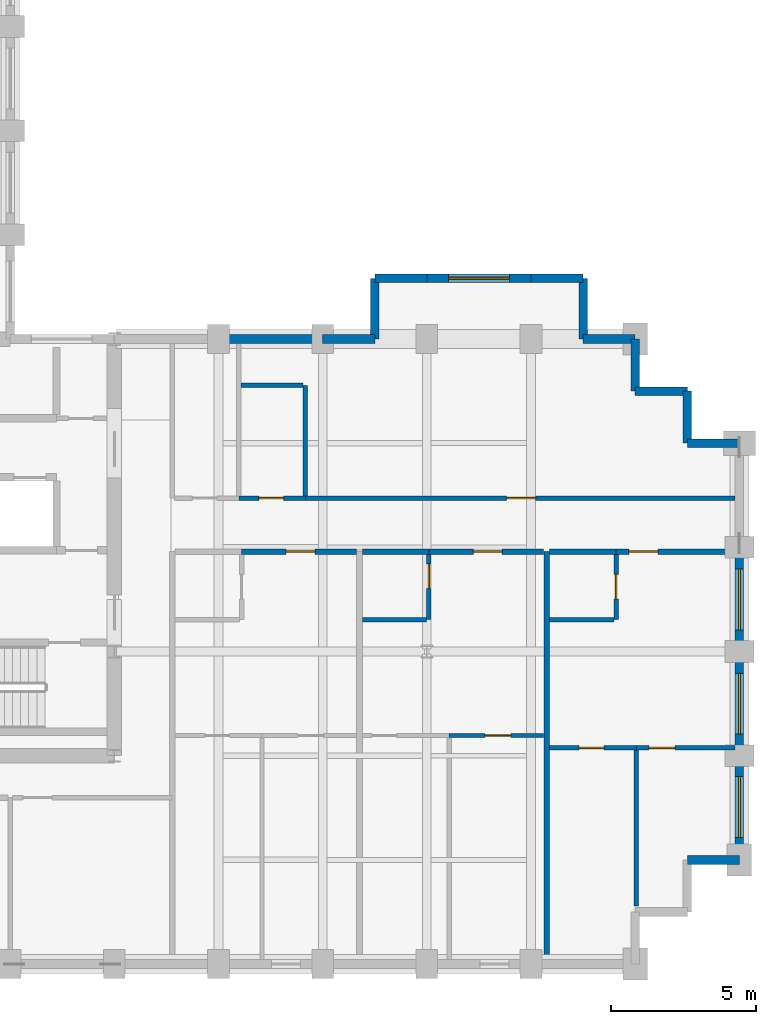
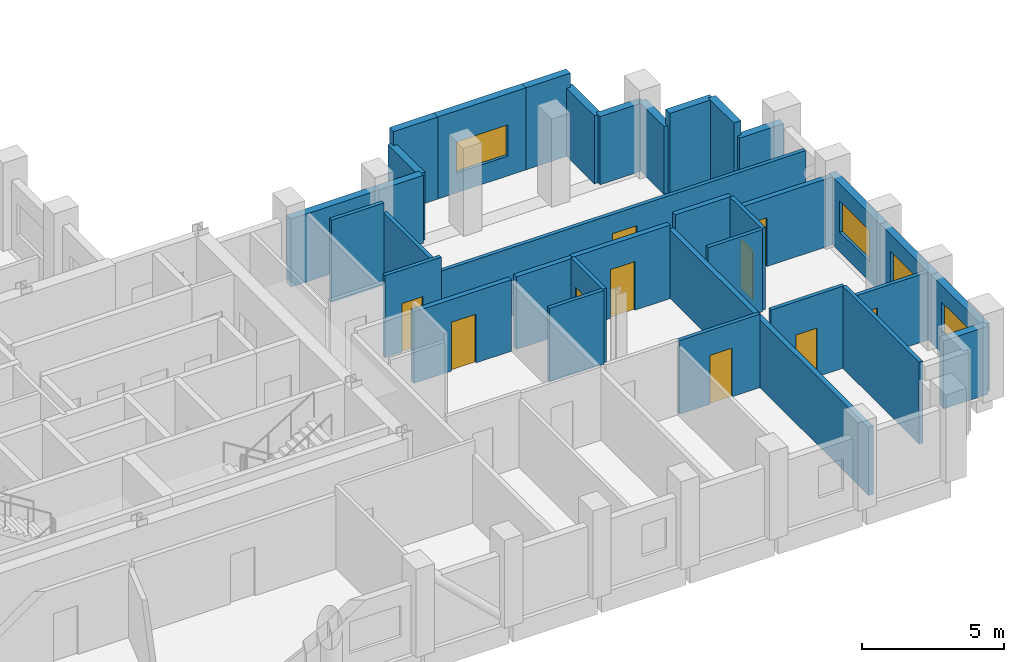
# One storey, part 12 of 15: 34 walls, 10 doors, 4 windows, 14 openings.
"""IFC4 building model written with IfcOpenShell, lengths in metres."""

from ifc_helpers import new_model, si_unit, direction, frame, frame_2d, origin, place, context, subcontext, project, spatial, rectangle, extrude, material, layer, layer_set, type_object, element, fill, save


model = new_model("IFC4")

# Units and contexts
model_context = context("Model", 3, precision=1e-05, world=origin(), true_north=direction((0.0, 1.0)))
body_context = subcontext(model_context, "Body", "Model", "MODEL_VIEW")
ifc_project = project(units=[si_unit("LENGTHUNIT", "METRE"), si_unit("AREAUNIT", "SQUARE_METRE"), si_unit("VOLUMEUNIT", "CUBIC_METRE"), si_unit("PLANEANGLEUNIT", "RADIAN"), si_unit("MASSUNIT", "GRAM", prefix="KILO")], contexts=[model_context])

# Site, building, storey
site_placement = place(None, origin())
site = spatial("IfcSite", under=ifc_project, at=site_placement, CompositionType="ELEMENT")
building_placement = place(site_placement, origin())
building = spatial("IfcBuilding", under=site, at=building_placement, Name="Solnavia Interchange Tower", CompositionType="ELEMENT")
storey_placement = place(building_placement, frame((0.0, 0.0, 146.60009765625)))
storey = spatial("IfcBuildingStorey", under=building, at=storey_placement, Name="L36", CompositionType="ELEMENT", Elevation=146.60009765625)

# Wall, opening, door
ifc_material_1 = material(Name="Gypsum Acoustic Twin-Stud & Mineral Wool", Category="gypsum")
ifc_layer_1 = layer(ifc_material_1, 0.199951171875)
ifc_layer_set_1 = layer_set([ifc_layer_1], Name="Gypsum Acoustic Twin-Stud & Mineral Wool")
wall_type_1 = type_object("IfcWallType", Name="Wall-ApartmentParty-200", PredefinedType="PARTITIONING", material=ifc_layer_set_1)
wall_1_placement = place(storey_placement, frame((36.800048828125, 17.85009765625, 0.0), z_axis=(0.0, 0.0, 1.0), x_axis=(1.0, 0.0, 0.0)))
wall_1 = element("IfcWall", 1, at=wall_1_placement, inside=storey, type_object=wall_type_1, Name="PTW-L36-22 Interior partition wall", PredefinedType="PARTITIONING", context=body_context, shape_type="SweptSolid", body=[
    extrude(rectangle(XDim=3.966064453125, YDim=0.199951171875, at=frame_2d((1.98291015625, 0.0))), origin(), (0.0, 0.0, 1.0), 3.079833984375),
])
opening_1_placement = place(wall_1_placement, frame((1.534912109375, 0.0, 0.0)))
opening_1 = element("IfcOpeningElement", 2, at=opening_1_placement, cuts=wall_1, Name="Opening DR-06", PredefinedType="OPENING", context=body_context, shape_type="SweptSolid", body=[
    extrude(rectangle(XDim=1.0, YDim=2.10009765625, at=frame_2d((0.5, 1.050048828125))), frame((0.0, 0.10986328125, 0.0), z_axis=(0.0, -1.0, 0.0), x_axis=(1.0, 0.0, 0.0)), (0.0, 0.0, 1.0), 0.219970703125),
])
ifc_material_2 = material(Name="Engineered Timber Acoustic Fire Door", Category="wood")
door_type_1 = type_object("IfcDoorType", Name="Door-FlatEntry-1000x2100", OperationType="SINGLE_SWING_LEFT", PredefinedType="DOOR", material=ifc_material_2)
door_1_placement = place(opening_1_placement, origin())
door_1 = element("IfcDoor", 3, at=door_1_placement, inside=storey, type_object=door_type_1, Name="DR-L36-09 Interior room door", OperationType="SINGLE_SWING_LEFT", OverallHeight=2.10009765625, OverallWidth=1.0, PredefinedType="DOOR", context=body_context, shape_type="SweptSolid", body=[
    extrude(rectangle(XDim=1.0, YDim=2.10009765625, at=frame_2d((0.5, 1.050048828125))), frame((0.0, 0.02490234375, 0.0), z_axis=(0.0, -1.0, 0.0), x_axis=(1.0, 0.0, 0.0)), (0.0, 0.0, 1.0), 0.050048828125),
])
fill(opening_1, door_1)

# Walls
wall_2_placement = place(storey_placement, frame((47.340087890625, 3.75390625, 0.0), z_axis=(0.0, 0.0, 1.0), x_axis=(0.0, 1.0, 0.0)))
element("IfcWall", 4, at=wall_2_placement, inside=storey, type_object=wall_type_1, Name="PTW-L36-26 Interior partition wall", PredefinedType="PARTITIONING", context=body_context, shape_type="SweptSolid", body=[
    extrude(rectangle(XDim=14.09619140625, YDim=0.199951171875, at=frame_2d((7.048095703125, 0.0))), origin(), (0.0, 0.0, 1.0), 2.929931640625),
])
wall_3_placement = place(storey_placement, frame((40.97412109375, 17.85009765625, 0.0), z_axis=(0.0, 0.0, 1.0), x_axis=(1.0, 0.0, 0.0)))
element("IfcWall", 5, at=wall_3_placement, inside=storey, type_object=wall_type_1, Name="PTW-L36-27 Interior partition wall", PredefinedType="PARTITIONING", context=body_context, shape_type="SweptSolid", body=[
    extrude(rectangle(XDim=2.2958984375, YDim=0.199951171875, at=frame_2d((1.14794921875, 0.0))), origin(), (0.0, 0.0, 1.0), 3.1298828125),
])

# Wall, opening, door
wall_4_placement = place(storey_placement, frame((43.27001953125, 17.85009765625, 0.0), z_axis=(0.0, 0.0, 1.0), x_axis=(1.0, 0.0, 0.0)))
wall_4 = element("IfcWall", 6, at=wall_4_placement, inside=storey, type_object=wall_type_1, Name="PTW-L36-30 Interior partition wall", PredefinedType="PARTITIONING", context=body_context, shape_type="SweptSolid", body=[
    extrude(rectangle(XDim=3.966064453125, YDim=0.199951171875, at=frame_2d((1.98291015625, 0.0))), origin(), (0.0, 0.0, 1.0), 3.169921875),
])
opening_2_placement = place(wall_4_placement, frame((1.534912109375, 0.0, 0.0)))
opening_2 = element("IfcOpeningElement", 7, at=opening_2_placement, cuts=wall_4, Name="Opening DR-06", PredefinedType="OPENING", context=body_context, shape_type="SweptSolid", body=[
    extrude(rectangle(XDim=1.0, YDim=2.10009765625, at=frame_2d((0.5, 1.050048828125))), frame((0.0, 0.10986328125, 0.0), z_axis=(0.0, -1.0, 0.0), x_axis=(1.0, 0.0, 0.0)), (0.0, 0.0, 1.0), 0.219970703125),
])
door_2_placement = place(opening_2_placement, origin())
door_2 = element("IfcDoor", 8, at=door_2_placement, inside=storey, type_object=door_type_1, Name="DR-L36-13 Interior room door", OperationType="SINGLE_SWING_LEFT", OverallHeight=2.10009765625, OverallWidth=1.0, PredefinedType="DOOR", context=body_context, shape_type="SweptSolid", body=[
    extrude(rectangle(XDim=1.0, YDim=2.10009765625, at=frame_2d((0.5, 1.050048828125))), frame((0.0, 0.02490234375, 0.0), z_axis=(0.0, -1.0, 0.0), x_axis=(1.0, 0.0, 0.0)), (0.0, 0.0, 1.0), 0.050048828125),
])
fill(opening_2, door_2)

# Wall
wall_5_placement = place(storey_placement, frame((47.444091796875, 17.85009765625, 0.0), z_axis=(0.0, 0.0, 1.0), x_axis=(1.0, 0.0, 0.0)))
element("IfcWall", 9, at=wall_5_placement, inside=storey, type_object=wall_type_1, Name="PTW-L36-34 Interior partition wall", PredefinedType="PARTITIONING", context=body_context, shape_type="SweptSolid", body=[
    extrude(rectangle(XDim=2.2958984375, YDim=0.199951171875, at=frame_2d((1.14794921875, 0.0))), origin(), (0.0, 0.0, 1.0), 3.534912109375),
])

# Wall, opening, door
wall_6_placement = place(storey_placement, frame((49.739990234375, 17.85009765625, 0.0), z_axis=(0.0, 0.0, 1.0), x_axis=(1.0, 0.0, 0.0)))
wall_6 = element("IfcWall", 10, at=wall_6_placement, inside=storey, type_object=wall_type_1, Name="PTW-L36-37 Interior partition wall", PredefinedType="PARTITIONING", context=body_context, shape_type="SweptSolid", body=[
    extrude(rectangle(XDim=4.10595703125, YDim=0.199951171875, at=frame_2d((2.052978515625, 0.0))), origin(), (0.0, 0.0, 1.0), 2.929931640625),
])
opening_3_placement = place(wall_6_placement, frame((0.43896484375, 0.0, 0.0)))
opening_3 = element("IfcOpeningElement", 11, at=opening_3_placement, cuts=wall_6, Name="Opening DR-06", PredefinedType="OPENING", context=body_context, shape_type="SweptSolid", body=[
    extrude(rectangle(XDim=1.0, YDim=2.10009765625, at=frame_2d((0.5, 1.050048828125))), frame((0.0, 0.10986328125, 0.0), z_axis=(0.0, -1.0, 0.0), x_axis=(1.0, 0.0, 0.0)), (0.0, 0.0, 1.0), 0.219970703125),
])
door_3_placement = place(opening_3_placement, origin())
door_3 = element("IfcDoor", 12, at=door_3_placement, inside=storey, type_object=door_type_1, Name="DR-L36-17 Interior room door", OperationType="SINGLE_SWING_LEFT", OverallHeight=2.10009765625, OverallWidth=1.0, PredefinedType="DOOR", context=body_context, shape_type="SweptSolid", body=[
    extrude(rectangle(XDim=1.0, YDim=2.10009765625, at=frame_2d((0.5, 1.050048828125))), frame((0.0, 0.02490234375, 0.0), z_axis=(0.0, -1.0, 0.0), x_axis=(1.0, 0.0, 0.0)), (0.0, 0.0, 1.0), 0.050048828125),
])
fill(opening_3, door_3)

# Wall
ifc_material_3 = material(Name="Concrete C40/50", Category="concrete")
ifc_layer_2 = layer(ifc_material_3, 0.300048828125)
ifc_layer_set_2 = layer_set([ifc_layer_2], Name="Concrete C40/50")
wall_type_2 = type_object("IfcWallType", Name="Wall-ExtSpandrel-300", PredefinedType="STANDARD", material=ifc_layer_set_2)
wall_7_placement = place(storey_placement, frame((54.0, 7.199951171875, 0.0), z_axis=(0.0, 0.0, 1.0), x_axis=(-1.0, 0.0, 0.0)))
element("IfcWall", 13, at=wall_7_placement, inside=storey, type_object=wall_type_2, Name="EXW-L36-11 Exterior precast spandrel wall", PredefinedType="STANDARD", context=body_context, shape_type="SweptSolid", body=[
    extrude(rectangle(XDim=1.800048828125, YDim=0.300048828125, at=frame_2d((0.89990234375, 0.0))), origin(), (0.0, 0.0, 1.0), 2.929931640625),
])

# Wall, opening, window
wall_8_placement = place(storey_placement, frame((54.0, 10.800048828125, 0.0), z_axis=(0.0, 0.0, 1.0), x_axis=(0.0, -1.0, 0.0)))
wall_8 = element("IfcWall", 14, at=wall_8_placement, inside=storey, type_object=wall_type_2, Name="EXW-L36-12 Exterior precast spandrel wall", PredefinedType="STANDARD", context=body_context, shape_type="SweptSolid", body=[
    extrude(rectangle(XDim=3.60009765625, YDim=0.300048828125, at=frame_2d((1.800048828125, 0.0))), origin(), (0.0, 0.0, 1.0), 2.929931640625),
])
opening_4_placement = place(wall_8_placement, frame((0.72509765625, 0.0, 0.85009765625)))
opening_4 = element("IfcOpeningElement", 15, at=opening_4_placement, cuts=wall_8, Name="Opening WIN-01", PredefinedType="OPENING", context=body_context, shape_type="SweptSolid", body=[
    extrude(rectangle(XDim=2.10009765625, YDim=1.35009765625, at=frame_2d((1.050048828125, 0.675048828125))), frame((0.0, 0.16015625, 0.0), z_axis=(0.0, -1.0, 0.0), x_axis=(1.0, 0.0, 0.0)), (0.0, 0.0, 1.0), 0.320068359375),
])
ifc_material_4 = material(Name="Thermal-Break Aluminium & Low-E Glass", Category="aluminium")
window_type = type_object("IfcWindowType", Name="Window-Ribbon-2100x1350", PartitioningType="SINGLE_PANEL", PredefinedType="WINDOW", material=ifc_material_4)
window_1_placement = place(opening_4_placement, origin())
window_1 = element("IfcWindow", 16, at=window_1_placement, inside=storey, type_object=window_type, Name="WIN-L36-12 Facade ribbon window", OverallHeight=1.35009765625, OverallWidth=2.10009765625, PartitioningType="SINGLE_PANEL", PredefinedType="WINDOW", context=body_context, shape_type="SweptSolid", body=[
    extrude(rectangle(XDim=2.10009765625, YDim=1.35009765625, at=frame_2d((1.050048828125, 0.675048828125))), frame((0.0, 0.030029296875, 0.0), z_axis=(0.0, -1.0, 0.0), x_axis=(1.0, 0.0, 0.0)), (0.0, 0.0, 1.0), 0.06005859375),
])
fill(opening_4, window_1)

wall_9_placement = place(storey_placement, frame((54.0, 14.39990234375, 0.0), z_axis=(0.0, 0.0, 1.0), x_axis=(0.0, -1.0, 0.0)))
wall_9 = element("IfcWall", 17, at=wall_9_placement, inside=storey, type_object=wall_type_2, Name="EXW-L36-13 Exterior precast spandrel wall", PredefinedType="STANDARD", context=body_context, shape_type="SweptSolid", body=[
    extrude(rectangle(XDim=3.599853515625, YDim=0.300048828125, at=frame_2d((1.7998046875, 0.0))), origin(), (0.0, 0.0, 1.0), 2.929931640625),
])
opening_5_placement = place(wall_9_placement, frame((0.75, 0.0, 0.85009765625)))
opening_5 = element("IfcOpeningElement", 18, at=opening_5_placement, cuts=wall_9, Name="Opening WIN-01", PredefinedType="OPENING", context=body_context, shape_type="SweptSolid", body=[
    extrude(rectangle(XDim=2.10009765625, YDim=1.35009765625, at=frame_2d((1.050048828125, 0.675048828125))), frame((0.0, 0.16015625, 0.0), z_axis=(0.0, -1.0, 0.0), x_axis=(1.0, 0.0, 0.0)), (0.0, 0.0, 1.0), 0.320068359375),
])
window_2_placement = place(opening_5_placement, origin())
window_2 = element("IfcWindow", 19, at=window_2_placement, inside=storey, type_object=window_type, Name="WIN-L36-13 Facade ribbon window", OverallHeight=1.35009765625, OverallWidth=2.10009765625, PartitioningType="SINGLE_PANEL", PredefinedType="WINDOW", context=body_context, shape_type="SweptSolid", body=[
    extrude(rectangle(XDim=2.10009765625, YDim=1.35009765625, at=frame_2d((1.050048828125, 0.675048828125))), frame((0.0, 0.030029296875, 0.0), z_axis=(0.0, -1.0, 0.0), x_axis=(1.0, 0.0, 0.0)), (0.0, 0.0, 1.0), 0.06005859375),
])
fill(opening_5, window_2)

wall_10_placement = place(storey_placement, frame((54.0, 18.0, 0.0), z_axis=(0.0, 0.0, 1.0), x_axis=(0.0, -1.0, 0.0)))
wall_10 = element("IfcWall", 20, at=wall_10_placement, inside=storey, type_object=wall_type_2, Name="EXW-L36-14 Exterior precast spandrel wall", PredefinedType="STANDARD", context=body_context, shape_type="SweptSolid", body=[
    extrude(rectangle(XDim=3.60009765625, YDim=0.300048828125, at=frame_2d((1.800048828125, 0.0))), origin(), (0.0, 0.0, 1.0), 2.929931640625),
])
opening_6_placement = place(wall_10_placement, frame((0.75, 0.0, 0.85009765625)))
opening_6 = element("IfcOpeningElement", 21, at=opening_6_placement, cuts=wall_10, Name="Opening WIN-01", PredefinedType="OPENING", context=body_context, shape_type="SweptSolid", body=[
    extrude(rectangle(XDim=2.10009765625, YDim=1.35009765625, at=frame_2d((1.050048828125, 0.675048828125))), frame((0.0, 0.16015625, 0.0), z_axis=(0.0, -1.0, 0.0), x_axis=(1.0, 0.0, 0.0)), (0.0, 0.0, 1.0), 0.320068359375),
])
window_3_placement = place(opening_6_placement, origin())
window_3 = element("IfcWindow", 22, at=window_3_placement, inside=storey, type_object=window_type, Name="WIN-L36-14 Facade ribbon window", OverallHeight=1.35009765625, OverallWidth=2.10009765625, PartitioningType="SINGLE_PANEL", PredefinedType="WINDOW", context=body_context, shape_type="SweptSolid", body=[
    extrude(rectangle(XDim=2.10009765625, YDim=1.35009765625, at=frame_2d((1.050048828125, 0.675048828125))), frame((0.0, 0.030029296875, 0.0), z_axis=(0.0, -1.0, 0.0), x_axis=(1.0, 0.0, 0.0)), (0.0, 0.0, 1.0), 0.06005859375),
])
fill(opening_6, window_3)

# Walls
wall_11_placement = place(storey_placement, frame((52.199951171875, 21.60009765625, 0.0), z_axis=(0.0, 0.0, 1.0), x_axis=(1.0, 0.0, 0.0)))
element("IfcWall", 23, at=wall_11_placement, inside=storey, type_object=wall_type_2, Name="EXW-L36-16 Exterior precast spandrel wall", PredefinedType="STANDARD", context=body_context, shape_type="SweptSolid", body=[
    extrude(rectangle(XDim=1.800048828125, YDim=0.300048828125, at=frame_2d((0.89990234375, 0.0))), origin(), (0.0, 0.0, 1.0), 2.929931640625),
])
wall_12_placement = place(storey_placement, frame((52.199951171875, 23.39990234375, 0.0), z_axis=(0.0, 0.0, 1.0), x_axis=(0.0, -1.0, 0.0)))
element("IfcWall", 24, at=wall_12_placement, inside=storey, type_object=wall_type_2, Name="EXW-L36-17 Exterior precast spandrel wall", PredefinedType="STANDARD", context=body_context, shape_type="SweptSolid", body=[
    extrude(rectangle(XDim=1.7998046875, YDim=0.300048828125, at=frame_2d((0.89990234375, 0.0))), origin(), (0.0, 0.0, 1.0), 3.534912109375),
])
wall_13_placement = place(storey_placement, frame((50.39990234375, 23.39990234375, 0.0), z_axis=(0.0, 0.0, 1.0), x_axis=(1.0, 0.0, 0.0)))
element("IfcWall", 25, at=wall_13_placement, inside=storey, type_object=wall_type_2, Name="EXW-L36-18 Exterior precast spandrel wall", PredefinedType="STANDARD", context=body_context, shape_type="SweptSolid", body=[
    extrude(rectangle(XDim=1.800048828125, YDim=0.300048828125, at=frame_2d((0.89990234375, 0.0))), origin(), (0.0, 0.0, 1.0), 3.534912109375),
])
wall_14_placement = place(storey_placement, frame((50.39990234375, 25.199951171875, 0.0), z_axis=(0.0, 0.0, 1.0), x_axis=(0.0, -1.0, 0.0)))
element("IfcWall", 26, at=wall_14_placement, inside=storey, type_object=wall_type_2, Name="EXW-L36-19 Exterior precast spandrel wall", PredefinedType="STANDARD", context=body_context, shape_type="SweptSolid", body=[
    extrude(rectangle(XDim=1.800048828125, YDim=0.300048828125, at=frame_2d((0.89990234375, 0.0))), origin(), (0.0, 0.0, 1.0), 2.929931640625),
])
wall_15_placement = place(storey_placement, frame((48.60009765625, 25.199951171875, 0.0), z_axis=(0.0, 0.0, 1.0), x_axis=(1.0, 0.0, 0.0)))
element("IfcWall", 27, at=wall_15_placement, inside=storey, type_object=wall_type_2, Name="EXW-L36-20 Exterior precast spandrel wall", PredefinedType="STANDARD", context=body_context, shape_type="SweptSolid", body=[
    extrude(rectangle(XDim=1.7998046875, YDim=0.300048828125, at=frame_2d((0.89990234375, 0.0))), origin(), (0.0, 0.0, 1.0), 2.929931640625),
])
wall_16_placement = place(storey_placement, frame((48.60009765625, 27.300048828125, 0.0), z_axis=(0.0, 0.0, 1.0), x_axis=(0.0, -1.0, 0.0)))
element("IfcWall", 28, at=wall_16_placement, inside=storey, type_object=wall_type_2, Name="EXW-L36-21 Exterior precast spandrel wall", PredefinedType="STANDARD", context=body_context, shape_type="SweptSolid", body=[
    extrude(rectangle(XDim=2.10009765625, YDim=0.300048828125, at=frame_2d((1.050048828125, 0.0))), origin(), (0.0, 0.0, 1.0), 2.929931640625),
])
wall_17_placement = place(storey_placement, frame((46.800048828125, 27.300048828125, 0.0), z_axis=(0.0, 0.0, 1.0), x_axis=(1.0, 0.0, 0.0)))
element("IfcWall", 29, at=wall_17_placement, inside=storey, type_object=wall_type_2, Name="EXW-L36-22 Exterior precast spandrel wall", PredefinedType="STANDARD", context=body_context, shape_type="SweptSolid", body=[
    extrude(rectangle(XDim=1.800048828125, YDim=0.300048828125, at=frame_2d((0.89990234375, 0.0))), origin(), (0.0, 0.0, 1.0), 3.534912109375),
])

# Wall, opening, window
wall_18_placement = place(storey_placement, frame((43.199951171875, 27.300048828125, 0.0), z_axis=(0.0, 0.0, 1.0), x_axis=(1.0, 0.0, 0.0)))
wall_18 = element("IfcWall", 30, at=wall_18_placement, inside=storey, type_object=wall_type_2, Name="EXW-L36-23 Exterior precast spandrel wall", PredefinedType="STANDARD", context=body_context, shape_type="SweptSolid", body=[
    extrude(rectangle(XDim=3.60009765625, YDim=0.300048828125, at=frame_2d((1.800048828125, 0.0))), origin(), (0.0, 0.0, 1.0), 3.534912109375),
])
opening_7_placement = place(wall_18_placement, frame((0.75, 0.0, 0.85009765625)))
opening_7 = element("IfcOpeningElement", 31, at=opening_7_placement, cuts=wall_18, Name="Opening WIN-01", PredefinedType="OPENING", context=body_context, shape_type="SweptSolid", body=[
    extrude(rectangle(XDim=2.10009765625, YDim=1.35009765625, at=frame_2d((1.050048828125, 0.675048828125))), frame((0.0, 0.16015625, 0.0), z_axis=(0.0, -1.0, 0.0), x_axis=(1.0, 0.0, 0.0)), (0.0, 0.0, 1.0), 0.320068359375),
])
window_4_placement = place(opening_7_placement, origin())
window_4 = element("IfcWindow", 32, at=window_4_placement, inside=storey, type_object=window_type, Name="WIN-L36-23 Facade ribbon window", OverallHeight=1.35009765625, OverallWidth=2.10009765625, PartitioningType="SINGLE_PANEL", PredefinedType="WINDOW", context=body_context, shape_type="SweptSolid", body=[
    extrude(rectangle(XDim=2.10009765625, YDim=1.35009765625, at=frame_2d((1.050048828125, 0.675048828125))), frame((0.0, 0.030029296875, 0.0), z_axis=(0.0, -1.0, 0.0), x_axis=(1.0, 0.0, 0.0)), (0.0, 0.0, 1.0), 0.06005859375),
])
fill(opening_7, window_4)

# Walls
wall_19_placement = place(storey_placement, frame((41.39990234375, 27.300048828125, 0.0), z_axis=(0.0, 0.0, 1.0), x_axis=(1.0, 0.0, 0.0)))
element("IfcWall", 33, at=wall_19_placement, inside=storey, type_object=wall_type_2, Name="EXW-L36-24 Exterior precast spandrel wall", PredefinedType="STANDARD", context=body_context, shape_type="SweptSolid", body=[
    extrude(rectangle(XDim=1.800048828125, YDim=0.300048828125, at=frame_2d((0.89990234375, 0.0))), origin(), (0.0, 0.0, 1.0), 3.534912109375),
])
wall_20_placement = place(storey_placement, frame((41.39990234375, 27.300048828125, 0.0), z_axis=(0.0, 0.0, 1.0), x_axis=(0.0, -1.0, 0.0)))
element("IfcWall", 34, at=wall_20_placement, inside=storey, type_object=wall_type_2, Name="EXW-L36-25 Exterior precast spandrel wall", PredefinedType="STANDARD", context=body_context, shape_type="SweptSolid", body=[
    extrude(rectangle(XDim=2.10009765625, YDim=0.300048828125, at=frame_2d((1.050048828125, 0.0))), origin(), (0.0, 0.0, 1.0), 2.929931640625),
])
wall_21_placement = place(storey_placement, frame((39.60009765625, 25.199951171875, 0.0), z_axis=(0.0, 0.0, 1.0), x_axis=(1.0, 0.0, 0.0)))
element("IfcWall", 35, at=wall_21_placement, inside=storey, type_object=wall_type_2, Name="EXW-L36-26 Exterior precast spandrel wall", PredefinedType="STANDARD", context=body_context, shape_type="SweptSolid", body=[
    extrude(rectangle(XDim=1.7998046875, YDim=0.300048828125, at=frame_2d((0.89990234375, 0.0))), origin(), (0.0, 0.0, 1.0), 2.929931640625),
])
wall_22_placement = place(storey_placement, frame((36.0, 25.199951171875, 0.0), z_axis=(0.0, 0.0, 1.0), x_axis=(1.0, 0.0, 0.0)))
element("IfcWall", 36, at=wall_22_placement, inside=storey, type_object=wall_type_2, Name="EXW-L36-27 Exterior precast spandrel wall", PredefinedType="STANDARD", context=body_context, shape_type="SweptSolid", body=[
    extrude(rectangle(XDim=3.60009765625, YDim=0.300048828125, at=frame_2d((1.800048828125, 0.0))), origin(), (0.0, 0.0, 1.0), 2.929931640625),
])

# Wall, opening, door
ifc_material_5 = material(Name="Gypsum Plasterboard & Steel Stud", Category="steel")
ifc_layer_3 = layer(ifc_material_5, 0.14990234375)
ifc_layer_set_3 = layer_set([ifc_layer_3], Name="Gypsum Plasterboard & Steel Stud")
wall_type_3 = type_object("IfcWallType", Name="Wall-Partition-150", PredefinedType="PARTITIONING", material=ifc_layer_set_3)
wall_23_placement = place(storey_placement, frame((43.969970703125, 11.5, 0.0), z_axis=(0.0, 0.0, 1.0), x_axis=(1.0, 0.0, 0.0)))
wall_23 = element("IfcWall", 37, at=wall_23_placement, inside=storey, type_object=wall_type_3, Name="PTW-L36-31 Interior partition wall", PredefinedType="PARTITIONING", context=body_context, shape_type="SweptSolid", body=[
    extrude(rectangle(XDim=3.26611328125, YDim=0.14990234375, at=frame_2d((1.633056640625, 0.0))), origin(), (0.0, 0.0, 1.0), 3.169921875),
])
opening_8_placement = place(wall_23_placement, frame((1.235107421875, 0.0, 0.0)))
opening_8 = element("IfcOpeningElement", 38, at=opening_8_placement, cuts=wall_23, Name="Opening DR-09", PredefinedType="OPENING", context=body_context, shape_type="SweptSolid", body=[
    extrude(rectangle(XDim=0.89990234375, YDim=2.10009765625, at=frame_2d((0.449951171875, 1.050048828125))), frame((0.0, 0.0849609375, 0.0), z_axis=(0.0, -1.0, 0.0), x_axis=(1.0, 0.0, 0.0)), (0.0, 0.0, 1.0), 0.169921875),
])
ifc_material_6 = material(Name="Engineered Oak Veneer Door", Category="wood")
door_type_2 = type_object("IfcDoorType", Name="Door-Internal-900x2100", OperationType="SINGLE_SWING_LEFT", PredefinedType="DOOR", material=ifc_material_6)
door_4_placement = place(opening_8_placement, origin())
door_4 = element("IfcDoor", 39, at=door_4_placement, inside=storey, type_object=door_type_2, Name="DR-L36-14 Interior room door", OperationType="SINGLE_SWING_RIGHT", OverallHeight=2.10009765625, OverallWidth=0.89990234375, PredefinedType="DOOR", context=body_context, shape_type="SweptSolid", body=[
    extrude(rectangle(XDim=0.89990234375, YDim=2.10009765625, at=frame_2d((0.449951171875, 1.050048828125))), frame((0.0, 0.02490234375, 0.0), z_axis=(0.0, -1.0, 0.0), x_axis=(1.0, 0.0, 0.0)), (0.0, 0.0, 1.0), 0.050048828125),
])
fill(opening_8, door_4)

wall_24_placement = place(storey_placement, frame((50.43994140625, 11.070068359375, 0.0), z_axis=(0.0, 0.0, 1.0), x_axis=(1.0, 0.0, 0.0)))
wall_24 = element("IfcWall", 40, at=wall_24_placement, inside=storey, type_object=wall_type_3, Name="PTW-L36-38 Interior partition wall", PredefinedType="PARTITIONING", context=body_context, shape_type="SweptSolid", body=[
    extrude(rectangle(XDim=3.406005859375, YDim=0.14990234375, at=frame_2d((1.703125, 0.0))), origin(), (0.0, 0.0, 1.0), 2.929931640625),
])
opening_9_placement = place(wall_24_placement, frame((0.43798828125, 0.0, 0.0)))
opening_9 = element("IfcOpeningElement", 41, at=opening_9_placement, cuts=wall_24, Name="Opening DR-09", PredefinedType="OPENING", context=body_context, shape_type="SweptSolid", body=[
    extrude(rectangle(XDim=0.89990234375, YDim=2.10009765625, at=frame_2d((0.449951171875, 1.050048828125))), frame((0.0, 0.0849609375, 0.0), z_axis=(0.0, -1.0, 0.0), x_axis=(1.0, 0.0, 0.0)), (0.0, 0.0, 1.0), 0.169921875),
])
door_5_placement = place(opening_9_placement, origin())
door_5 = element("IfcDoor", 42, at=door_5_placement, inside=storey, type_object=door_type_2, Name="DR-L36-18 Interior room door", OperationType="SINGLE_SWING_RIGHT", OverallHeight=2.10009765625, OverallWidth=0.89990234375, PredefinedType="DOOR", context=body_context, shape_type="SweptSolid", body=[
    extrude(rectangle(XDim=0.89990234375, YDim=2.10009765625, at=frame_2d((0.449951171875, 1.050048828125))), frame((0.0, 0.02490234375, 0.0), z_axis=(0.0, -1.0, 0.0), x_axis=(1.0, 0.0, 0.0)), (0.0, 0.0, 1.0), 0.050048828125),
])
fill(opening_9, door_5)

wall_25_placement = place(storey_placement, frame((39.0, 19.699951171875, 0.0), z_axis=(0.0, 0.0, 1.0), x_axis=(1.0, 0.0, 0.0)))
wall_25 = element("IfcWall", 43, at=wall_25_placement, inside=storey, type_object=wall_type_3, Name="PTW-L36-41 Interior partition wall", PredefinedType="PARTITIONING", context=body_context, shape_type="SweptSolid", body=[
    extrude(rectangle(XDim=14.845947265625, YDim=0.14990234375, at=frame_2d((7.4228515625, 0.0))), origin(), (0.0, 0.0, 1.0), 2.929931640625),
])
opening_10_placement = place(wall_25_placement, frame((6.9599609375, 0.0, 0.0)))
opening_10 = element("IfcOpeningElement", 44, at=opening_10_placement, cuts=wall_25, Name="Opening DR-07", PredefinedType="OPENING", context=body_context, shape_type="SweptSolid", body=[
    extrude(rectangle(XDim=1.0, YDim=2.10009765625, at=frame_2d((0.5, 1.050048828125))), frame((0.0, 0.0849609375, 0.0), z_axis=(0.0, -1.0, 0.0), x_axis=(1.0, 0.0, 0.0)), (0.0, 0.0, 1.0), 0.169921875),
])
ifc_material_7 = material(Name="Timber & Acoustic Glazed Office Door", Category="wood")
door_type_3 = type_object("IfcDoorType", Name="Door-Office-1000x2100", OperationType="SINGLE_SWING_RIGHT", PredefinedType="DOOR", material=ifc_material_7)
door_6_placement = place(opening_10_placement, origin())
door_6 = element("IfcDoor", 45, at=door_6_placement, inside=storey, type_object=door_type_3, Name="DR-L36-20 Interior room door", OperationType="SINGLE_SWING_RIGHT", OverallHeight=2.10009765625, OverallWidth=1.0, PredefinedType="DOOR", context=body_context, shape_type="SweptSolid", body=[
    extrude(rectangle(XDim=1.0, YDim=2.10009765625, at=frame_2d((0.5, 1.050048828125))), frame((0.0, 0.02490234375, 0.0), z_axis=(0.0, -1.0, 0.0), x_axis=(1.0, 0.0, 0.0)), (0.0, 0.0, 1.0), 0.050048828125),
])
fill(opening_10, door_6)

ifc_material_8 = material(Name="Moisture-Resistant Gypsum & Steel Stud", Category="steel")
ifc_layer_4 = layer(ifc_material_8, 0.14990234375)
ifc_layer_set_4 = layer_set([ifc_layer_4], Name="Moisture-Resistant Gypsum & Steel Stud")
wall_type_4 = type_object("IfcWallType", Name="Wall-WetRoom-150", PredefinedType="PARTITIONING", material=ifc_layer_set_4)
wall_26_placement = place(storey_placement, frame((36.699951171875, 19.699951171875, 0.0), z_axis=(0.0, 0.0, 1.0), x_axis=(1.0, 0.0, 0.0)))
wall_26 = element("IfcWall", 46, at=wall_26_placement, inside=storey, type_object=wall_type_4, Name="PTW-L36-04 Interior partition wall", PredefinedType="PARTITIONING", context=body_context, shape_type="SweptSolid", body=[
    extrude(rectangle(XDim=2.300048828125, YDim=0.14990234375, at=frame_2d((1.14990234375, 0.0))), origin(), (0.0, 0.0, 1.0), 3.534912109375),
])
opening_11_placement = place(wall_26_placement, frame((0.697021484375, 0.0, 0.0)))
opening_11 = element("IfcOpeningElement", 47, at=opening_11_placement, cuts=wall_26, Name="Opening DR-10", PredefinedType="OPENING", context=body_context, shape_type="SweptSolid", body=[
    extrude(rectangle(XDim=0.85009765625, YDim=2.10009765625, at=frame_2d((0.425048828125, 1.050048828125))), frame((0.0, 0.0849609375, 0.0), z_axis=(0.0, -1.0, 0.0), x_axis=(1.0, 0.0, 0.0)), (0.0, 0.0, 1.0), 0.169921875),
])
ifc_material_9 = material(Name="Moisture-Resistant Timber Door", Category="wood")
door_type_4 = type_object("IfcDoorType", Name="Door-Bathroom-850x2100", OperationType="SINGLE_SWING_RIGHT", PredefinedType="DOOR", material=ifc_material_9)
door_7_placement = place(opening_11_placement, origin())
door_7 = element("IfcDoor", 48, at=door_7_placement, inside=storey, type_object=door_type_4, Name="DR-L36-02 Interior room door", OperationType="SINGLE_SWING_RIGHT", OverallHeight=2.10009765625, OverallWidth=0.85009765625, PredefinedType="DOOR", context=body_context, shape_type="SweptSolid", body=[
    extrude(rectangle(XDim=0.85009765625, YDim=2.10009765625, at=frame_2d((0.425048828125, 1.050048828125))), frame((0.0, 0.02490234375, 0.0), z_axis=(0.0, -1.0, 0.0), x_axis=(1.0, 0.0, 0.0)), (0.0, 0.0, 1.0), 0.050048828125),
])
fill(opening_11, door_7)

# Walls
wall_27_placement = place(storey_placement, frame((39.0, 19.779052734375, 0.0), z_axis=(0.0, 0.0, 1.0), x_axis=(0.0, 1.0, 0.0)))
element("IfcWall", 49, at=wall_27_placement, inside=storey, type_object=wall_type_4, Name="PTW-L36-05 Interior partition wall", PredefinedType="PARTITIONING", context=body_context, shape_type="SweptSolid", body=[
    extrude(rectangle(XDim=3.821044921875, YDim=0.14990234375, at=frame_2d((1.91064453125, 0.0))), origin(), (0.0, 0.0, 1.0), 3.079833984375),
])
wall_28_placement = place(storey_placement, frame((36.779052734375, 23.60009765625, 0.0), z_axis=(0.0, 0.0, 1.0), x_axis=(1.0, 0.0, 0.0)))
element("IfcWall", 50, at=wall_28_placement, inside=storey, type_object=wall_type_4, Name="PTW-L36-06 Interior partition wall", PredefinedType="PARTITIONING", context=body_context, shape_type="SweptSolid", body=[
    extrude(rectangle(XDim=2.141845703125, YDim=0.14990234375, at=frame_2d((1.07080078125, 0.0))), origin(), (0.0, 0.0, 1.0), 3.534912109375),
])

# Wall, opening, door
wall_29_placement = place(storey_placement, frame((43.27001953125, 15.5, 0.0), z_axis=(0.0, 0.0, 1.0), x_axis=(0.0, 1.0, 0.0)))
wall_29 = element("IfcWall", 51, at=wall_29_placement, inside=storey, type_object=wall_type_4, Name="PTW-L36-28 Interior partition wall", PredefinedType="PARTITIONING", context=body_context, shape_type="SweptSolid", body=[
    extrude(rectangle(XDim=2.24609375, YDim=0.14990234375, at=frame_2d((1.123046875, 0.0))), origin(), (0.0, 0.0, 1.0), 3.179931640625),
])
opening_12_placement = place(wall_29_placement, frame((1.080078125, 0.0, 0.0)))
opening_12 = element("IfcOpeningElement", 52, at=opening_12_placement, cuts=wall_29, Name="Opening DR-10", PredefinedType="OPENING", context=body_context, shape_type="SweptSolid", body=[
    extrude(rectangle(XDim=0.85009765625, YDim=2.10009765625, at=frame_2d((0.425048828125, 1.050048828125))), frame((0.0, 0.0849609375, 0.0), z_axis=(0.0, -1.0, 0.0), x_axis=(1.0, 0.0, 0.0)), (0.0, 0.0, 1.0), 0.169921875),
])
door_8_placement = place(opening_12_placement, origin())
door_8 = element("IfcDoor", 53, at=door_8_placement, inside=storey, type_object=door_type_4, Name="DR-L36-12 Interior room door", OperationType="SINGLE_SWING_RIGHT", OverallHeight=2.10009765625, OverallWidth=0.85009765625, PredefinedType="DOOR", context=body_context, shape_type="SweptSolid", body=[
    extrude(rectangle(XDim=0.85009765625, YDim=2.10009765625, at=frame_2d((0.425048828125, 1.050048828125))), frame((0.0, 0.02490234375, 0.0), z_axis=(0.0, -1.0, 0.0), x_axis=(1.0, 0.0, 0.0)), (0.0, 0.0, 1.0), 0.050048828125),
])
fill(opening_12, door_8)

# Wall
wall_30_placement = place(storey_placement, frame((40.97412109375, 15.5, 0.0), z_axis=(0.0, 0.0, 1.0), x_axis=(1.0, 0.0, 0.0)))
element("IfcWall", 54, at=wall_30_placement, inside=storey, type_object=wall_type_4, Name="PTW-L36-29 Interior partition wall", PredefinedType="PARTITIONING", context=body_context, shape_type="SweptSolid", body=[
    extrude(rectangle(XDim=2.216796875, YDim=0.14990234375, at=frame_2d((1.1083984375, 0.0))), origin(), (0.0, 0.0, 1.0), 3.179931640625),
])

# Wall, opening, door
wall_31_placement = place(storey_placement, frame((49.739990234375, 15.5, 0.0), z_axis=(0.0, 0.0, 1.0), x_axis=(0.0, 1.0, 0.0)))
wall_31 = element("IfcWall", 55, at=wall_31_placement, inside=storey, type_object=wall_type_4, Name="PTW-L36-35 Interior partition wall", PredefinedType="PARTITIONING", context=body_context, shape_type="SweptSolid", body=[
    extrude(rectangle(XDim=2.24609375, YDim=0.14990234375, at=frame_2d((1.123046875, 0.0))), origin(), (0.0, 0.0, 1.0), 3.534912109375),
])
opening_13_placement = place(wall_31_placement, frame((0.719970703125, 0.0, 0.0)))
opening_13 = element("IfcOpeningElement", 56, at=opening_13_placement, cuts=wall_31, Name="Opening DR-10", PredefinedType="OPENING", context=body_context, shape_type="SweptSolid", body=[
    extrude(rectangle(XDim=0.85009765625, YDim=2.10009765625, at=frame_2d((0.425048828125, 1.050048828125))), frame((0.0, 0.0849609375, 0.0), z_axis=(0.0, -1.0, 0.0), x_axis=(1.0, 0.0, 0.0)), (0.0, 0.0, 1.0), 0.169921875),
])
door_9_placement = place(opening_13_placement, origin())
door_9 = element("IfcDoor", 57, at=door_9_placement, inside=storey, type_object=door_type_4, Name="DR-L36-16 Interior room door", OperationType="SINGLE_SWING_RIGHT", OverallHeight=2.10009765625, OverallWidth=0.85009765625, PredefinedType="DOOR", context=body_context, shape_type="SweptSolid", body=[
    extrude(rectangle(XDim=0.85009765625, YDim=2.10009765625, at=frame_2d((0.425048828125, 1.050048828125))), frame((0.0, 0.02490234375, 0.0), z_axis=(0.0, -1.0, 0.0), x_axis=(1.0, 0.0, 0.0)), (0.0, 0.0, 1.0), 0.050048828125),
])
fill(opening_13, door_9)

# Wall
wall_32_placement = place(storey_placement, frame((47.444091796875, 15.5, 0.0), z_axis=(0.0, 0.0, 1.0), x_axis=(1.0, 0.0, 0.0)))
element("IfcWall", 58, at=wall_32_placement, inside=storey, type_object=wall_type_4, Name="PTW-L36-36 Interior partition wall", PredefinedType="PARTITIONING", context=body_context, shape_type="SweptSolid", body=[
    extrude(rectangle(XDim=2.216796875, YDim=0.14990234375, at=frame_2d((1.1083984375, 0.0))), origin(), (0.0, 0.0, 1.0), 3.534912109375),
])

# Wall, opening, door
wall_33_placement = place(storey_placement, frame((47.444091796875, 11.070068359375, 0.0), z_axis=(0.0, 0.0, 1.0), x_axis=(1.0, 0.0, 0.0)))
wall_33 = element("IfcWall", 59, at=wall_33_placement, inside=storey, type_object=wall_type_4, Name="PTW-L36-39 Interior partition wall", PredefinedType="PARTITIONING", context=body_context, shape_type="SweptSolid", body=[
    extrude(rectangle(XDim=2.995849609375, YDim=0.14990234375, at=frame_2d((1.498046875, 0.0))), origin(), (0.0, 0.0, 1.0), 3.534912109375),
])
opening_14_placement = place(wall_33_placement, frame((1.02099609375, 0.0, 0.0)))
opening_14 = element("IfcOpeningElement", 60, at=opening_14_placement, cuts=wall_33, Name="Opening DR-10", PredefinedType="OPENING", context=body_context, shape_type="SweptSolid", body=[
    extrude(rectangle(XDim=0.85009765625, YDim=2.10009765625, at=frame_2d((0.425048828125, 1.050048828125))), frame((0.0, 0.0849609375, 0.0), z_axis=(0.0, -1.0, 0.0), x_axis=(1.0, 0.0, 0.0)), (0.0, 0.0, 1.0), 0.169921875),
])
door_10_placement = place(opening_14_placement, origin())
door_10 = element("IfcDoor", 61, at=door_10_placement, inside=storey, type_object=door_type_4, Name="DR-L36-19 Interior room door", OperationType="SINGLE_SWING_LEFT", OverallHeight=2.10009765625, OverallWidth=0.85009765625, PredefinedType="DOOR", context=body_context, shape_type="SweptSolid", body=[
    extrude(rectangle(XDim=0.85009765625, YDim=2.10009765625, at=frame_2d((0.425048828125, 1.050048828125))), frame((0.0, 0.02490234375, 0.0), z_axis=(0.0, -1.0, 0.0), x_axis=(1.0, 0.0, 0.0)), (0.0, 0.0, 1.0), 0.050048828125),
])
fill(opening_14, door_10)

# Wall
wall_34_placement = place(storey_placement, frame((50.43994140625, 5.60498046875, 0.0), z_axis=(0.0, 0.0, 1.0), x_axis=(0.0, 1.0, 0.0)))
element("IfcWall", 62, at=wall_34_placement, inside=storey, type_object=wall_type_4, Name="PTW-L36-40 Interior partition wall", PredefinedType="PARTITIONING", context=body_context, shape_type="SweptSolid", body=[
    extrude(rectangle(XDim=5.385986328125, YDim=0.14990234375, at=frame_2d((2.69287109375, 0.0))), origin(), (0.0, 0.0, 1.0), 3.534912109375),
])

save(model, "model.ifc")
